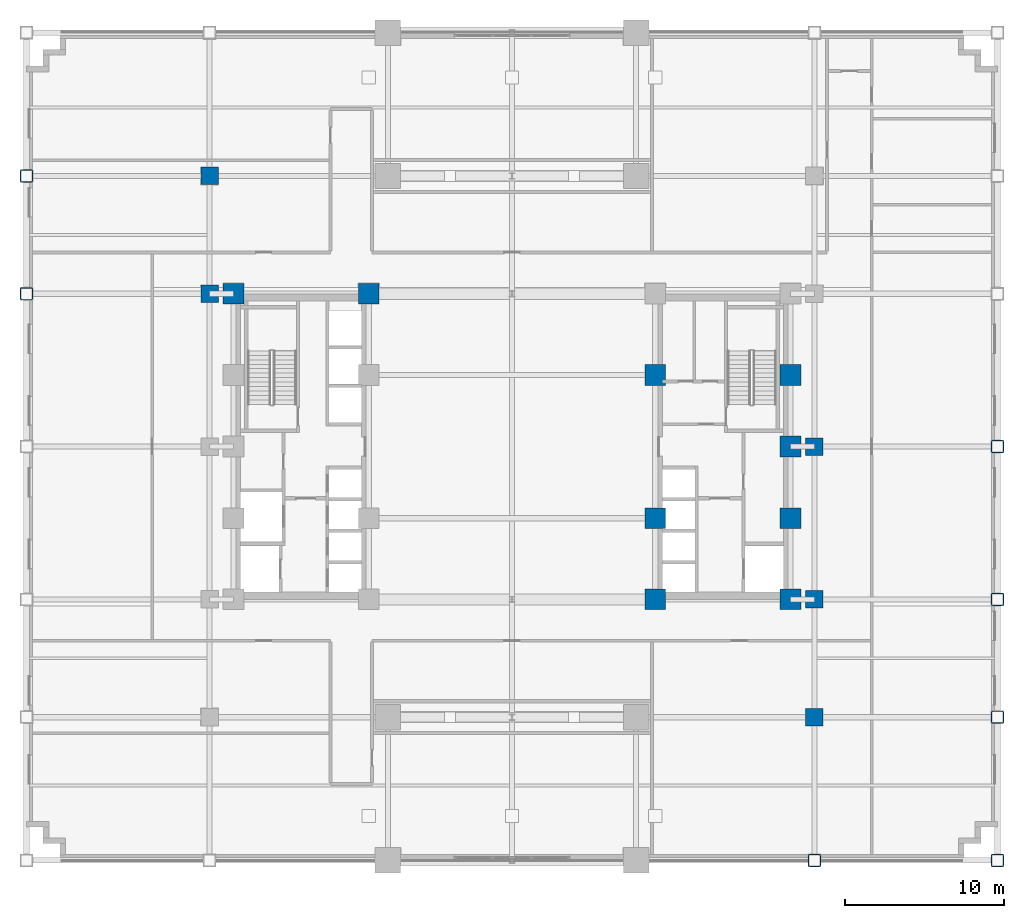
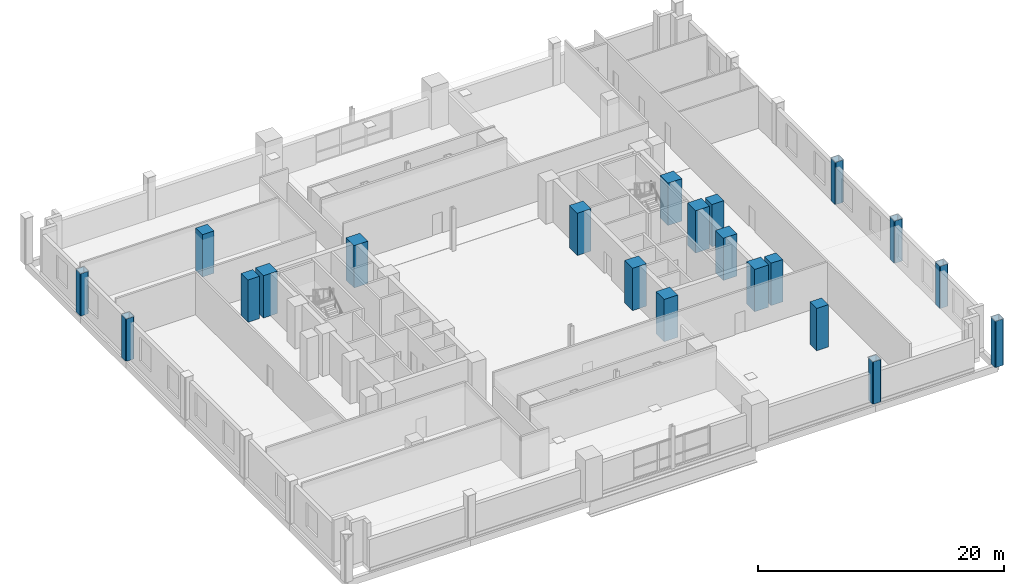
# One storey, part 2 of 17: 21 columns.
"""IFC4 building model written with IfcOpenShell, lengths in metres."""

from ifc_helpers import new_model, si_unit, direction, frame, origin, origin_2d, place, context, subcontext, project, spatial, rectangle, hollow_rectangle, extrude, material, material_profile, profile_set, type_object, element, save


model = new_model("IFC4")

# Units and contexts
model_context = context("Model", 3, precision=1e-05, world=origin(), true_north=direction((0.0, 1.0)))
body_context = subcontext(model_context, "Body", "Model", "MODEL_VIEW")
ifc_project = project(units=[si_unit("LENGTHUNIT", "METRE"), si_unit("AREAUNIT", "SQUARE_METRE"), si_unit("VOLUMEUNIT", "CUBIC_METRE"), si_unit("PLANEANGLEUNIT", "RADIAN"), si_unit("MASSUNIT", "GRAM", prefix="KILO")], contexts=[model_context])

# Site, building, storey
site_placement = place(None, origin())
site = spatial("IfcSite", under=ifc_project, at=site_placement, CompositionType="ELEMENT")
building_placement = place(site_placement, origin())
building = spatial("IfcBuilding", under=site, at=building_placement, Name="Nuvemarco Arch Tower", CompositionType="ELEMENT")
storey_placement = place(building_placement, frame((0.0, 0.0, 23.0)))
storey = spatial("IfcBuildingStorey", under=building, at=storey_placement, Name="L05", CompositionType="ELEMENT", Elevation=23.0)

# Columns
ifc_material_1 = material(Name="Concrete C60/75", Category="concrete")
ifc_material_profile_1 = material_profile(ifc_material_1, rectangle(XDim=1.10009765625, YDim=1.10009765625, at=origin_2d()), Name="RC-COL-1100x1100")
ifc_profile_set_1 = profile_set([ifc_material_profile_1], Name="Concrete C60/75")
column_type_1 = type_object("IfcColumnType", Name="COL-CORE-1100", PredefinedType="COLUMN", material=ifc_profile_set_1)
for number, where, z_axis, x_axis, name in (
    (1, (-19.0, 9.60009765625, 0.0), (0.0, 0.0, 1.0), (1.0, 0.0, 0.0), "L05 column CP_-19.0_+9.6"),
    (2, (-19.0, 17.0, 0.0), (0.0, 0.0, 1.0), (1.0, 0.0, 0.0), "L05 column CP_-19.0_+17.0"),
    (3, (19.0, -17.0, 0.0), (0.0, 0.0, 1.0), (1.0, 0.0, 0.0), "L05 column CP_+19.0_-17.0"),
    (4, (19.0, -9.60009765625, 0.0), (0.0, 0.0, 1.0), (1.0, 0.0, 0.0), "L05 column CP_+19.0_-9.6"),
    (5, (19.0, 0.0, 0.0), (0.0, 0.0, 1.0), (1.0, 0.0, 0.0), "L05 column CP_+19.0_+0.0"),
):
    element("IfcColumn", number, at=place(storey_placement, frame(where, z_axis=z_axis, x_axis=x_axis)), inside=storey, type_object=column_type_1, Name=name, PredefinedType="COLUMN", context=body_context, shape_type="SweptSolid", body=[
        extrude(rectangle(XDim=1.10009765625, YDim=1.10009765625, at=origin_2d()), origin(), (0.0, 0.0, 1.0), 4.199951171875),
    ])
ifc_material_profile_2 = material_profile(ifc_material_1, rectangle(XDim=1.300048828125, YDim=1.300048828125, at=origin_2d()), Name="RC-COL-1300x1300")
ifc_profile_set_2 = profile_set([ifc_material_profile_2], Name="Concrete C60/75")
column_type_2 = type_object("IfcColumnType", Name="COL-CORE-1300", PredefinedType="COLUMN", material=ifc_profile_set_2)
for number, where, z_axis, x_axis, name in (
    (6, (-17.5, 9.60009765625, 0.0), (0.0, 0.0, 1.0), (1.0, 0.0, 0.0), "L05 column CC_-17.5_+9.6"),
    (7, (-9.0, 9.60009765625, 0.0), (0.0, 0.0, 1.0), (1.0, 0.0, 0.0), "L05 column CC_-9.0_+9.6"),
    (8, (9.0, -9.60009765625, 0.0), (0.0, 0.0, 1.0), (1.0, 0.0, 0.0), "L05 column CC_+9.0_-9.6"),
    (9, (9.0, -4.5, 0.0), (0.0, 0.0, 1.0), (1.0, 0.0, 0.0), "L05 column CC_+9.0_-4.5"),
    (10, (9.0, 4.5, 0.0), (0.0, 0.0, 1.0), (1.0, 0.0, 0.0), "L05 column CC_+9.0_+4.5"),
    (11, (17.5, -9.60009765625, 0.0), (0.0, 0.0, 1.0), (1.0, 0.0, 0.0), "L05 column CC_+17.5_-9.6"),
    (12, (17.5, -4.5, 0.0), (0.0, 0.0, 1.0), (1.0, 0.0, 0.0), "L05 column CC_+17.5_-4.5"),
    (13, (17.5, 4.5, 0.0), (0.0, 0.0, 1.0), (1.0, 0.0, 0.0), "L05 column CC_+17.5_+4.5"),
    (14, (17.5, 0.0, 0.0), (0.0, 0.0, 1.0), (1.0, 0.0, 0.0), "L05 column CC_+17.5_+0.0"),
):
    element("IfcColumn", number, at=place(storey_placement, frame(where, z_axis=z_axis, x_axis=x_axis)), inside=storey, type_object=column_type_2, Name=name, PredefinedType="COLUMN", context=body_context, shape_type="SweptSolid", body=[
        extrude(rectangle(XDim=1.300048828125, YDim=1.300048828125, at=origin_2d()), origin(), (0.0, 0.0, 1.0), 4.199951171875),
    ])
ifc_material_2 = material(Name="Steel S460", Category="steel")
ifc_material_profile_3 = material_profile(ifc_material_2, hollow_rectangle(XDim=0.800048828125, YDim=0.800048828125, WallThickness=0.054931640625, InnerFilletRadius=0.054931640625, OuterFilletRadius=0.110107421875, at=origin_2d()), Name="SHS800x800x55")
ifc_profile_set_3 = profile_set([ifc_material_profile_3], Name="Steel S460")
column_type_3 = type_object("IfcColumnType", Name="COL-EXO-800", PredefinedType="COLUMN", material=ifc_profile_set_3)
for number, where, z_axis, x_axis, name in (
    (15, (-30.5, 9.60009765625, 0.0), (0.0, 0.0, 1.0), (1.0, 0.0, 0.0), "L05 column CP_-30.5_+9.6"),
    (16, (-30.5, 17.0, 0.0), (0.0, 0.0, 1.0), (1.0, 0.0, 0.0), "L05 column CP_-30.5_+17.0"),
    (17, (19.0, -26.0, 0.0), (0.0, 0.0, 1.0), (1.0, 0.0, 0.0), "L05 column CP_+19.0_-26.0"),
):
    element("IfcColumn", number, at=place(storey_placement, frame(where, z_axis=z_axis, x_axis=x_axis)), inside=storey, type_object=column_type_3, Name=name, PredefinedType="COLUMN", context=body_context, shape_type="SweptSolid", body=[
        extrude(hollow_rectangle(XDim=0.800048828125, YDim=0.800048828125, WallThickness=0.054931640625, InnerFilletRadius=0.054931640625, OuterFilletRadius=0.110107421875, at=origin_2d()), origin(), (0.0, 0.0, 1.0), 4.199951171875),
    ])
column_placement = place(storey_placement, frame((30.5, -26.0, -0.39990234375), z_axis=(0.0, 0.0, 1.0), x_axis=(1.0, 0.0, 0.0)))
element("IfcColumn", 18, at=column_placement, inside=storey, type_object=column_type_3, Name="L05 column CP_+30.5_-26.0", PredefinedType="COLUMN", context=body_context, shape_type="SweptSolid", body=[
    extrude(hollow_rectangle(XDim=0.800048828125, YDim=0.800048828125, WallThickness=0.054931640625, InnerFilletRadius=0.054931640625, OuterFilletRadius=0.110107421875, at=origin_2d()), origin(), (0.0, 0.0, 1.0), 4.599853515625),
])
for number, where, z_axis, x_axis, name in (
    (19, (30.5, -17.0, 0.0), (0.0, 0.0, 1.0), (1.0, 0.0, 0.0), "L05 column CP_+30.5_-17.0"),
    (20, (30.5, -9.60009765625, 0.0), (0.0, 0.0, 1.0), (1.0, 0.0, 0.0), "L05 column CP_+30.5_-9.6"),
    (21, (30.5, 0.0, 0.0), (0.0, 0.0, 1.0), (1.0, 0.0, 0.0), "L05 column CP_+30.5_+0.0"),
):
    element("IfcColumn", number, at=place(storey_placement, frame(where, z_axis=z_axis, x_axis=x_axis)), inside=storey, type_object=column_type_3, Name=name, PredefinedType="COLUMN", context=body_context, shape_type="SweptSolid", body=[
        extrude(hollow_rectangle(XDim=0.800048828125, YDim=0.800048828125, WallThickness=0.054931640625, InnerFilletRadius=0.054931640625, OuterFilletRadius=0.110107421875, at=origin_2d()), origin(), (0.0, 0.0, 1.0), 4.199951171875),
    ])

save(model, "model.ifc")
